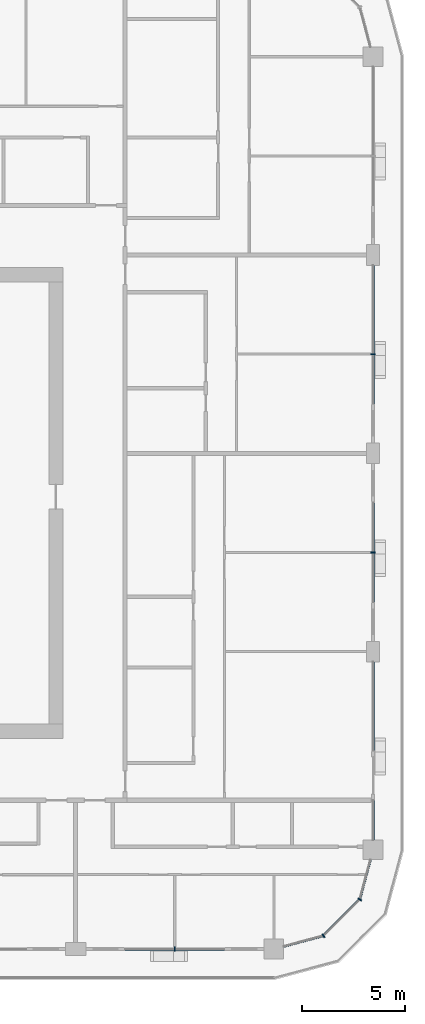
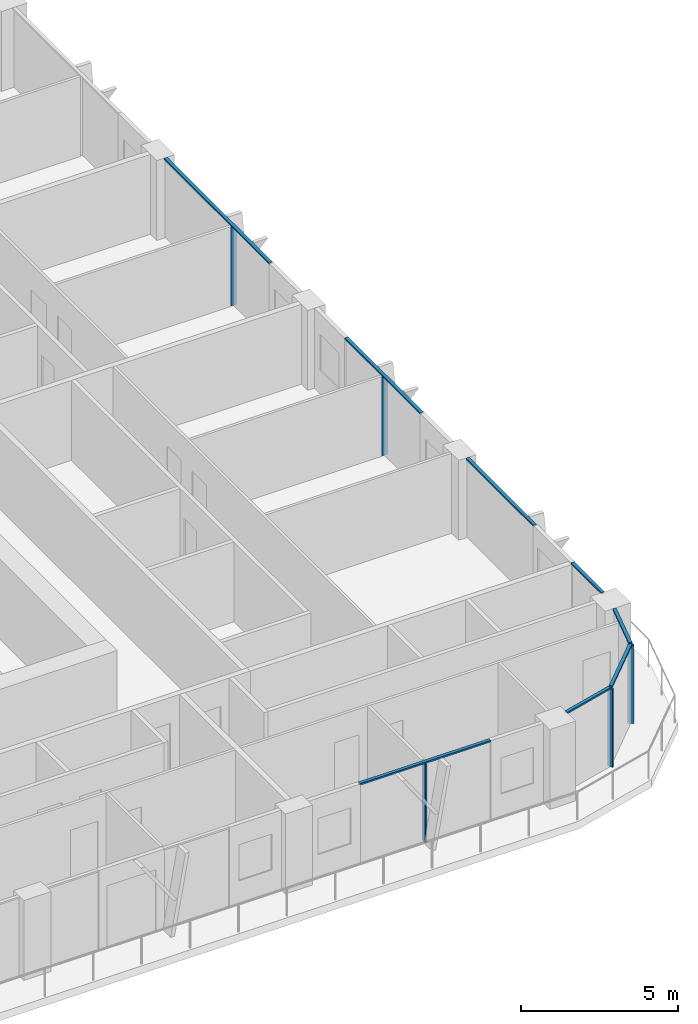
# One storey, part 4 of 22: 13 members, 5 elements without a shape of their own.
"""IFC4 building model written with IfcOpenShell, lengths in metres."""

from ifc_helpers import new_model, si_unit, direction, frame, origin, origin_2d, place, context, subcontext, project, spatial, rectangle, extrude, material, layer, layer_set, material_profile, profile_set, type_object, element, aggregate, save


model = new_model("IFC4")

# Units and contexts
model_context = context("Model", 3, precision=1e-05, world=origin(), true_north=direction((0.0, 1.0)))
body_context = subcontext(model_context, "Body", "Model", "MODEL_VIEW")
ifc_project = project(units=[si_unit("LENGTHUNIT", "METRE"), si_unit("AREAUNIT", "SQUARE_METRE"), si_unit("VOLUMEUNIT", "CUBIC_METRE"), si_unit("PLANEANGLEUNIT", "RADIAN"), si_unit("MASSUNIT", "GRAM", prefix="KILO")], contexts=[model_context])

# Site, building, storey
site_placement = place(None, origin())
site = spatial("IfcSite", under=ifc_project, at=site_placement, CompositionType="ELEMENT")
building_placement = place(site_placement, origin())
building = spatial("IfcBuilding", under=site, at=building_placement, Name="Madar Terraces", CompositionType="ELEMENT")
storey_placement = place(building_placement, frame((0.0, 0.0, 229.800048828125)))
storey = spatial("IfcBuildingStorey", under=building, at=storey_placement, Name="L60", CompositionType="ELEMENT", Elevation=229.800048828125)

# Curtain wall, member
ifc_material_1 = material(Name="Glass, ceramic frit dark grey, with black aluminium frame", Category="aluminium")
ifc_layer = layer(ifc_material_1, 0.199951171875)
ifc_layer_set = layer_set([ifc_layer], Name="Facade curtain wall, fritted glass")
curtain_wall_type = type_object("IfcCurtainWallType", Name="Facade curtain wall, fritted glass", PredefinedType="NOTDEFINED", material=ifc_layer_set)
curtain_wall_1_placement = place(storey_placement, origin())
curtain_wall_1 = element("IfcCurtainWall", 1, at=curtain_wall_1_placement, inside=storey, type_object=curtain_wall_type, Name="Outer skin curtain wall south bay 5", PredefinedType="NOTDEFINED")
ifc_material_2 = material(Name="Aluminium, black anodised", Category="aluminium")
ifc_material_profile_1 = material_profile(ifc_material_2, rectangle(XDim=0.199951171875, YDim=0.06005859375, at=origin_2d()), Name="Facade mullion 60x200")
ifc_profile_set_1 = profile_set([ifc_material_profile_1], Name="Aluminium, black anodised")
member_type_1 = type_object("IfcMemberType", Name="Facade mullion 60x200", PredefinedType="MULLION", material=ifc_profile_set_1)
member_1_placement = place(storey_placement, frame((52.800048828125, 4.800048828125, 0.0), z_axis=(0.0, 0.0, 1.0), x_axis=(0.0, 1.0, 0.0)))
member_1 = element("IfcMember", 2, at=member_1_placement, type_object=member_type_1, Name="Mullion 1", PredefinedType="MULLION", context=body_context, shape_type="SweptSolid", body=[
    extrude(rectangle(XDim=0.199951171875, YDim=0.06005859375, at=origin_2d()), origin(), (0.0, 0.0, 1.0), 3.0400390625),
])

curtain_wall_2_placement = place(storey_placement, origin())
curtain_wall_2 = element("IfcCurtainWall", 3, at=curtain_wall_2_placement, inside=storey, type_object=curtain_wall_type, Name="Outer skin curtain wall east bay 2", PredefinedType="NOTDEFINED")
member_2_placement = place(storey_placement, frame((62.39990234375, 24.0, 0.0), z_axis=(0.0, 0.0, 1.0), x_axis=(-1.0, 0.0, 0.0)))
member_2 = element("IfcMember", 4, at=member_2_placement, type_object=member_type_1, Name="Mullion 1", PredefinedType="MULLION", context=body_context, shape_type="SweptSolid", body=[
    extrude(rectangle(XDim=0.199951171875, YDim=0.06005859375, at=origin_2d()), origin(), (0.0, 0.0, 1.0), 3.0400390625),
])

curtain_wall_3_placement = place(storey_placement, origin())
curtain_wall_3 = element("IfcCurtainWall", 5, at=curtain_wall_3_placement, inside=storey, type_object=curtain_wall_type, Name="Outer skin curtain wall east bay 3", PredefinedType="NOTDEFINED")
member_3_placement = place(storey_placement, frame((62.39990234375, 33.60009765625, 0.0), z_axis=(0.0, 0.0, 1.0), x_axis=(-1.0, 0.0, 0.0)))
member_3 = element("IfcMember", 6, at=member_3_placement, type_object=member_type_1, Name="Mullion 1", PredefinedType="MULLION", context=body_context, shape_type="SweptSolid", body=[
    extrude(rectangle(XDim=0.199951171875, YDim=0.06005859375, at=origin_2d()), origin(), (0.0, 0.0, 1.0), 3.0400390625),
])

# Curtain wall, members
curtain_wall_4_placement = place(storey_placement, origin())
curtain_wall_4 = element("IfcCurtainWall", 7, at=curtain_wall_4_placement, inside=storey, type_object=curtain_wall_type, Name="Outer skin curtain wall south-east corner", PredefinedType="NOTDEFINED")
member_4_placement = place(storey_placement, frame((60.0, 5.443115234375, 0.0), z_axis=(0.0, 0.0, 1.0), x_axis=(-0.499999989586, 0.866025409797, 0.0)))
member_4 = element("IfcMember", 8, at=member_4_placement, type_object=member_type_1, Name="Mullion 1", PredefinedType="MULLION", context=body_context, shape_type="SweptSolid", body=[
    extrude(rectangle(XDim=0.199951171875, YDim=0.06005859375, at=origin_2d()), origin(), (0.0, 0.0, 1.0), 3.0400390625),
])
member_5_placement = place(storey_placement, frame((61.7568359375, 7.199951171875, 0.0), z_axis=(0.0, 0.0, 1.0), x_axis=(-0.866025409797, 0.499999989586, 0.0)))
member_5 = element("IfcMember", 9, at=member_5_placement, type_object=member_type_1, Name="Mullion 2", PredefinedType="MULLION", context=body_context, shape_type="SweptSolid", body=[
    extrude(rectangle(XDim=0.199951171875, YDim=0.06005859375, at=origin_2d()), origin(), (0.0, 0.0, 1.0), 3.0400390625),
])

# Member
ifc_material_3 = material(Name="Aluminium, black anodised", Category="aluminium")
ifc_material_profile_2 = material_profile(ifc_material_3, rectangle(XDim=0.1201171875, YDim=0.06005859375, at=origin_2d()), Name="Facade transom 60x120")
ifc_profile_set_2 = profile_set([ifc_material_profile_2], Name="Aluminium, black anodised")
member_type_2 = type_object("IfcMemberType", Name="Facade transom 60x120", PredefinedType="USERDEFINED", material=ifc_profile_set_2)
member_6_placement = place(storey_placement, frame((50.39990234375, 4.800048828125, 3.070068359375), z_axis=(1.0, 0.0, 0.0), x_axis=(0.0, 1.0, 0.0)))
member_6 = element("IfcMember", 10, at=member_6_placement, type_object=member_type_2, Name="Transom 1", ObjectType="TRANSOM", PredefinedType="USERDEFINED", context=body_context, shape_type="SweptSolid", body=[
    extrude(rectangle(XDim=0.1201171875, YDim=0.06005859375, at=origin_2d()), origin(), (0.0, 0.0, 1.0), 4.800048828125),
])

aggregate(curtain_wall_1, [member_1, member_6])

# Curtain wall, members
curtain_wall_5_placement = place(storey_placement, origin())
curtain_wall_5 = element("IfcCurtainWall", 11, at=curtain_wall_5_placement, inside=storey, type_object=curtain_wall_type, Name="Outer skin curtain wall east bay 1", PredefinedType="NOTDEFINED")
member_7_placement = place(storey_placement, frame((62.39990234375, 10.074951171875, 3.070068359375), z_axis=(0.0, 1.0, 0.0), x_axis=(-1.0, 0.0, 0.0)))
member_7 = element("IfcMember", 12, at=member_7_placement, type_object=member_type_2, Name="Transom 1", ObjectType="TRANSOM", PredefinedType="USERDEFINED", context=body_context, shape_type="SweptSolid", body=[
    extrude(rectangle(XDim=0.1201171875, YDim=0.06005859375, at=origin_2d()), origin(), (0.0, 0.0, 1.0), 1.925048828125),
])
member_8_placement = place(storey_placement, frame((62.39990234375, 14.39990234375, 3.070068359375), z_axis=(0.0, 1.0, 0.0), x_axis=(-1.0, 0.0, 0.0)))
member_8 = element("IfcMember", 13, at=member_8_placement, type_object=member_type_2, Name="Transom 2", ObjectType="TRANSOM", PredefinedType="USERDEFINED", context=body_context, shape_type="SweptSolid", body=[
    extrude(rectangle(XDim=0.1201171875, YDim=0.06005859375, at=origin_2d()), origin(), (0.0, 0.0, 1.0), 4.300048828125),
])
aggregate(curtain_wall_5, [member_7, member_8])

# Member
member_9_placement = place(storey_placement, frame((62.39990234375, 21.60009765625, 3.070068359375), z_axis=(0.0, 1.0, 0.0), x_axis=(-1.0, 0.0, 0.0)))
member_9 = element("IfcMember", 14, at=member_9_placement, type_object=member_type_2, Name="Transom 1", ObjectType="TRANSOM", PredefinedType="USERDEFINED", context=body_context, shape_type="SweptSolid", body=[
    extrude(rectangle(XDim=0.1201171875, YDim=0.06005859375, at=origin_2d()), origin(), (0.0, 0.0, 1.0), 4.7998046875),
])

aggregate(curtain_wall_2, [member_2, member_9])

member_10_placement = place(storey_placement, frame((62.39990234375, 31.199951171875, 3.070068359375), z_axis=(0.0, 1.0, 0.0), x_axis=(-1.0, 0.0, 0.0)))
member_10 = element("IfcMember", 15, at=member_10_placement, type_object=member_type_2, Name="Transom 1", ObjectType="TRANSOM", PredefinedType="USERDEFINED", context=body_context, shape_type="SweptSolid", body=[
    extrude(rectangle(XDim=0.1201171875, YDim=0.06005859375, at=origin_2d()), origin(), (0.0, 0.0, 1.0), 6.699951171875),
])

aggregate(curtain_wall_3, [member_3, member_10])

member_11_placement = place(storey_placement, frame((58.074951171875, 4.92724609375, 3.070068359375), z_axis=(0.96592251241, 0.258831412352, 0.0), x_axis=(-0.258831412352, 0.96592251241, 0.0)))
member_11 = element("IfcMember", 16, at=member_11_placement, type_object=member_type_2, Name="Transom 1", ObjectType="TRANSOM", PredefinedType="USERDEFINED", context=body_context, shape_type="SweptSolid", body=[
    extrude(rectangle(XDim=0.1201171875, YDim=0.06005859375, at=origin_2d()), origin(), (0.0, 0.0, 1.0), 1.962890625),
])

member_12_placement = place(storey_placement, frame((60.021240234375, 5.46435546875, 3.070068359375), z_axis=(0.707106781187, 0.707106781187, 0.0), x_axis=(-0.707106781187, 0.707106781187, 0.0)))
member_12 = element("IfcMember", 17, at=member_12_placement, type_object=member_type_2, Name="Transom 2", ObjectType="TRANSOM", PredefinedType="USERDEFINED", context=body_context, shape_type="SweptSolid", body=[
    extrude(rectangle(XDim=0.1201171875, YDim=0.06005859375, at=origin_2d()), origin(), (0.0, 0.0, 1.0), 2.424560546875),
])

member_13_placement = place(storey_placement, frame((61.7646484375, 7.22900390625, 3.070068359375), z_axis=(0.258831412352, 0.96592251241, 0.0), x_axis=(-0.96592251241, 0.258831412352, 0.0)))
member_13 = element("IfcMember", 18, at=member_13_placement, type_object=member_type_2, Name="Transom 3", ObjectType="TRANSOM", PredefinedType="USERDEFINED", context=body_context, shape_type="SweptSolid", body=[
    extrude(rectangle(XDim=0.1201171875, YDim=0.06005859375, at=origin_2d()), origin(), (0.0, 0.0, 1.0), 1.962890625),
])

aggregate(curtain_wall_4, [member_4, member_11, member_5, member_12, member_13])

save(model, "model.ifc")
